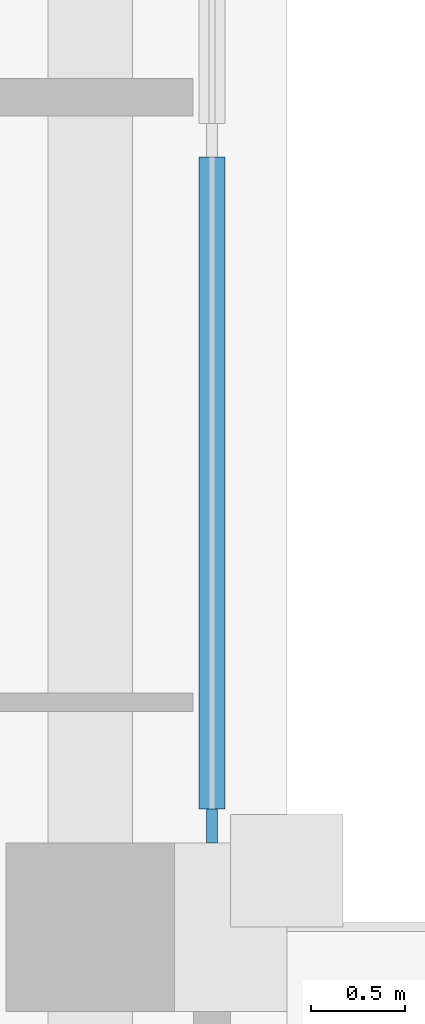
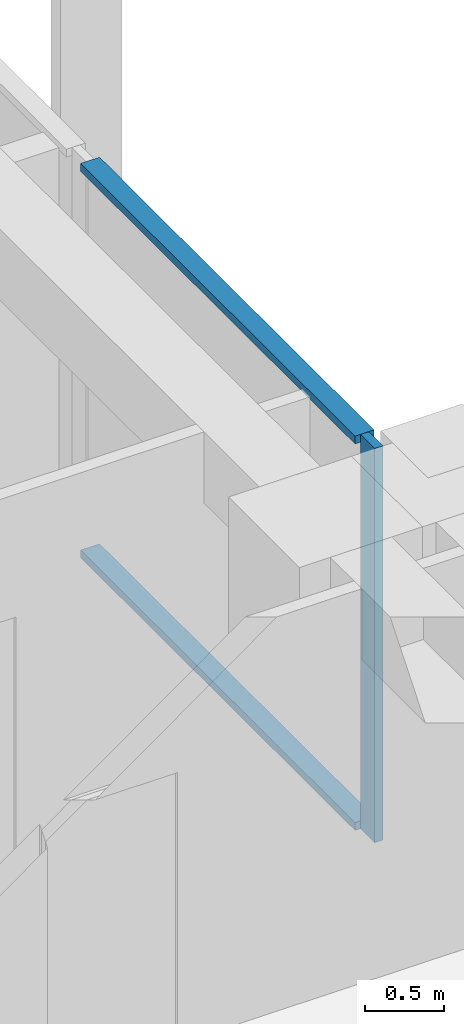
# One storey, part 4 of 18: 3 members, 1 element without a shape of its own.
"""IFC4 building model written with IfcOpenShell, lengths in metres."""

import ifcopenshell
import ifcopenshell.guid

model = None  # the IFC model being written
_history = None  # IfcOwnerHistory: only IFC2X3 demands one
_inside = {}  # id of a spatial element -> (the spatial element, [elements in it])
_under = {}  # id of a project, library or spatial element -> (it, [spatial elements below it])
_declared = {}  # id of a project -> (the project, [libraries it declares])
_typed = {}  # id of a type object -> (the type object, [elements of that type])
_made_of = {}  # id of a material, layer set ... -> (it, [elements and type objects made of it])


def new_model(schema):
    """Start an empty IFC model of exactly this schema.

    Asked for "IFC4X3", IfcOpenShell would pick the latest addendum, in which some entities
    have other attributes; the version numbers below select the first issue.
    IFC2X3 requires an IfcOwnerHistory on every rooted entity: one is made here for all.
    """
    global model, _history
    if schema == "IFC4X3":
        model = ifcopenshell.file(schema_version=(4, 3, 0, 0))
    else:
        model = ifcopenshell.file(schema=schema)
    _inside.clear()
    _under.clear()
    _declared.clear()
    _typed.clear()
    _made_of.clear()
    _history = None
    if model.schema == "IFC2X3":
        org = make("IfcOrganization", Name="unknown")
        user = make(
            "IfcPersonAndOrganization",
            ThePerson=make("IfcPerson", FamilyName="unknown"),
            TheOrganization=org,
        )
        app = make(
            "IfcApplication",
            ApplicationDeveloper=org,
            Version="unknown",
            ApplicationFullName="unknown",
            ApplicationIdentifier="unknown",
        )
        _history = make(
            "IfcOwnerHistory",
            OwningUser=user,
            OwningApplication=app,
            ChangeAction="ADDED",
            CreationDate=0,
        )
    return model


def make(cls, **values):
    """One entity of the class cls with the attributes given. An attribute that is None is left unset."""
    return model.create_entity(
        cls, **{name: value for name, value in values.items() if value is not None}
    )


def rooted(cls, **values):
    """An entity with a GlobalId (a new one), such as an element, a storey or a relation."""
    return make(cls, GlobalId=ifcopenshell.guid.new(), OwnerHistory=_history, **values)


def si_unit(unit_type, name, prefix=None):
    """IfcSIUnit, for example si_unit("LENGTHUNIT", "METRE", prefix="MILLI")."""
    return make("IfcSIUnit", UnitType=unit_type, Prefix=prefix, Name=name)


def assignment(units):
    """IfcUnitAssignment: the units of a project."""
    return None if units is None else make("IfcUnitAssignment", Units=units)


def point(xyz):
    """IfcCartesianPoint."""
    return None if xyz is None else make("IfcCartesianPoint", Coordinates=xyz)


def direction(xyz):
    """IfcDirection."""
    return None if xyz is None else make("IfcDirection", DirectionRatios=xyz)


def frame(location, z_axis=None, x_axis=None):
    """IfcAxis2Placement3D, a coordinate frame: its origin and axes. An axis left out is left unset."""
    return make(
        "IfcAxis2Placement3D",
        Location=point(location),
        Axis=direction(z_axis),
        RefDirection=direction(x_axis),
    )


def frame_2d(location, x_axis=None):
    """IfcAxis2Placement2D, a coordinate frame in the plane: its origin and x axis."""
    return make(
        "IfcAxis2Placement2D", Location=point(location), RefDirection=direction(x_axis)
    )


def origin():
    """The frame at (0, 0, 0) with its axes left unset."""
    return frame((0.0, 0.0, 0.0))


def origin_2d():
    """The frame at (0, 0) in the plane with its x axis left unset."""
    return frame_2d((0.0, 0.0))


def place(relative_to, where):
    """IfcLocalPlacement: puts the frame where relative to a parent placement (None: the world)."""
    return make(
        "IfcLocalPlacement", PlacementRelTo=relative_to, RelativePlacement=where
    )


def context(
    kind, dimensions, precision=None, world=None, true_north=None, identifier=None
):
    """IfcGeometricRepresentationContext, for example the 3D "Model" context."""
    return make(
        "IfcGeometricRepresentationContext",
        ContextIdentifier=identifier,
        ContextType=kind,
        CoordinateSpaceDimension=dimensions,
        Precision=precision,
        WorldCoordinateSystem=world,
        TrueNorth=true_north,
    )


def subcontext(parent, identifier, kind, view, scale=None):
    """IfcGeometricRepresentationSubContext, for example "Body" below "Model"."""
    return make(
        "IfcGeometricRepresentationSubContext",
        ContextIdentifier=identifier,
        ContextType=kind,
        ParentContext=parent,
        TargetScale=scale,
        TargetView=view,
    )


def project(units=None, contexts=None):
    """IfcProject with its units and contexts."""
    return rooted(
        "IfcProject",
        Name="project",
        RepresentationContexts=contexts,
        UnitsInContext=assignment(units),
    )


def spatial(cls, under=None, at=None, **own):
    """A site, building, storey or space (cls), placed at a placement, below another one or the project."""
    s = rooted(cls, ObjectPlacement=at, **own)
    if under is not None:
        _under.setdefault(under.id(), (under, []))[1].append(s)
    return s


def profile(cls, at=None, kind="AREA", **sizes):
    """A parametric profile (cls). Its sizes go by their IFC names, for example OverallWidth=200.0."""
    return make(cls, ProfileType=kind, Position=at, **sizes)


def rectangle(**sizes):
    """IfcRectangleProfileDef."""
    return profile("IfcRectangleProfileDef", **sizes)


def extrude(swept, where, along, depth):
    """IfcExtrudedAreaSolid: the profile swept, set in the frame where, extruded along a direction by depth."""
    return make(
        "IfcExtrudedAreaSolid",
        SweptArea=swept,
        Position=where,
        ExtrudedDirection=direction(along),
        Depth=depth,
    )


def shape(context_of_items, identifier, shape_type, items):
    """IfcShapeRepresentation: the items that make up one representation, for example the "Body"."""
    return make(
        "IfcShapeRepresentation",
        ContextOfItems=context_of_items,
        RepresentationIdentifier=identifier,
        RepresentationType=shape_type,
        Items=items,
    )


def material(Name=None, Category=None):
    """IfcMaterial."""
    return make("IfcMaterial", Name=Name, Category=Category)


def material_profile(
    of_material, cross_section, Name=None, Category=None, Priority=None
):
    """IfcMaterialProfile: a cross section and its material."""
    return make(
        "IfcMaterialProfile",
        Name=Name,
        Material=of_material,
        Profile=cross_section,
        Priority=Priority,
        Category=Category,
    )


def profile_set(profiles, Name=None, composite=None):
    """IfcMaterialProfileSet."""
    return make(
        "IfcMaterialProfileSet",
        Name=Name,
        MaterialProfiles=profiles,
        CompositeProfile=composite,
    )


def made_of(thing, what):
    """Note that an element or type object is made of a material, layer set ...; save() writes the relation."""
    if what is not None:
        _made_of.setdefault(what.id(), (what, []))[1].append(thing)
    return thing


def type_object(cls, material=None, **own):
    """A type object (cls), such as IfcWallType, which elements share."""
    return made_of(rooted(cls, **own), material)


def element(
    cls,
    number,
    at=None,
    inside=None,
    cuts=None,
    type_object=None,
    material=None,
    context=None,
    identifier="Body",
    shape_type=None,
    held_by="IfcProductDefinitionShape",
    body=None,
    shapes=None,
    **own,
):
    """One element of the class cls, such as IfcWall. Its Tag is "e" and its number.

    at: its placement. inside: the storey or other place that contains it. cuts: it is an
    opening in that element (IfcRelVoidsElement). A single representation is given by context,
    identifier, shape_type and body (its items); several are given by shapes. held_by: the class
    of the entity that holds the representations. save() writes the other relations.
    """
    e = rooted(cls, Tag="e%d" % number, ObjectPlacement=at, **own)
    if body is not None:
        shapes = [shape(context, identifier, shape_type, body)]
    if shapes is not None:
        e.Representation = make(held_by, Representations=shapes)
    if inside is not None:
        _inside.setdefault(inside.id(), (inside, []))[1].append(e)
    if cuts is not None:
        rooted(
            "IfcRelVoidsElement", RelatingBuildingElement=cuts, RelatedOpeningElement=e
        )
    if type_object is not None:
        _typed.setdefault(type_object.id(), (type_object, []))[1].append(e)
    return made_of(e, material)


def aggregate(whole, parts):
    """IfcRelAggregates: a whole, such as a stair, and the parts it consists of."""
    return rooted("IfcRelAggregates", RelatingObject=whole, RelatedObjects=parts)


def save(model, path):
    """Write the relations noted so far, then the file.

    IfcRelAggregates (storeys below a building ...), IfcRelContainedInSpatialStructure (elements
    in a storey), IfcRelDefinesByType, IfcRelAssociatesMaterial and IfcRelDeclares: one each for
    every whole, place, type object, material and project.
    """
    for whole, parts in _under.values():
        aggregate(whole, parts)
    for where, things in _inside.values():
        rooted(
            "IfcRelContainedInSpatialStructure",
            RelatedElements=things,
            RelatingStructure=where,
        )
    for kind, things in _typed.values():
        rooted("IfcRelDefinesByType", RelatedObjects=things, RelatingType=kind)
    for what, things in _made_of.values():
        rooted("IfcRelAssociatesMaterial", RelatedObjects=things, RelatingMaterial=what)
    for by, libraries in _declared.values():
        rooted("IfcRelDeclares", RelatingContext=by, RelatedDefinitions=libraries)
    model.write(path)


model = new_model("IFC4")

# Units and contexts
model_context = context("Model", 3, precision=1e-05, world=origin(), true_north=direction((0.0, 1.0)))
body_context = subcontext(model_context, "Body", "Model", "MODEL_VIEW")
ifc_project = project(units=[si_unit("LENGTHUNIT", "METRE"), si_unit("AREAUNIT", "SQUARE_METRE"), si_unit("VOLUMEUNIT", "CUBIC_METRE"), si_unit("PLANEANGLEUNIT", "RADIAN"), si_unit("MASSUNIT", "GRAM", prefix="KILO")], contexts=[model_context])

# Site, building, storey
site_placement = place(None, origin())
site = spatial("IfcSite", under=ifc_project, at=site_placement, CompositionType="ELEMENT")
building_placement = place(site_placement, origin())
building = spatial("IfcBuilding", under=site, at=building_placement, Name="Vermilion Ogive Tower", CompositionType="ELEMENT")
storey_placement = place(building_placement, frame((0.0, 0.0, 240.699951171875)))
storey = spatial("IfcBuildingStorey", under=building, at=storey_placement, Name="L63", CompositionType="ELEMENT", Elevation=240.699951171875)

# Curtain wall, members
ifc_material_1 = material(Name="Low-iron laminated glazing in aluminium frame", Category="aluminium")
curtain_wall_type = type_object("IfcCurtainWallType", Name="Curtain wall CW7", PredefinedType="NOTDEFINED", material=ifc_material_1)
curtain_wall_placement = place(storey_placement, origin())
curtain_wall = element("IfcCurtainWall", 1, at=curtain_wall_placement, inside=storey, type_object=curtain_wall_type, Name="Glazed skin E3", PredefinedType="NOTDEFINED")
ifc_material_2 = material(Name="Aluminium mullion", Category="aluminium")
ifc_material_profile_1 = material_profile(ifc_material_2, rectangle(XDim=0.06005859375, YDim=0.179931640625, at=origin_2d()), Name="AL 60x180")
ifc_profile_set_1 = profile_set([ifc_material_profile_1], Name="Aluminium mullion")
member_type_1 = type_object("IfcMemberType", Name="CW7 mullion 60x180", PredefinedType="MULLION", material=ifc_profile_set_1)
member_1_placement = place(storey_placement, frame((25.85009765625, 4.739990234375, 0.0), z_axis=(0.0, 0.0, 1.0), x_axis=(-1.0, 0.0, 0.0)))
member_1 = element("IfcMember", 2, at=member_1_placement, type_object=member_type_1, Name="CW7-E3 mullion 1", PredefinedType="MULLION", context=body_context, shape_type="SweptSolid", body=[
    extrude(rectangle(XDim=0.06005859375, YDim=0.179931640625, at=origin_2d()), origin(), (0.0, 0.0, 1.0), 3.050048828125),
])
ifc_material_3 = material(Name="Aluminium transom", Category="aluminium")
ifc_material_profile_2 = material_profile(ifc_material_3, rectangle(XDim=0.139892578125, YDim=0.06005859375, at=origin_2d()), Name="AL 60x140")
ifc_profile_set_2 = profile_set([ifc_material_profile_2], Name="Aluminium transom")
member_type_2 = type_object("IfcMemberType", Name="CW7 transom 60x140", PredefinedType="USERDEFINED", material=ifc_profile_set_2)
member_2_placement = place(storey_placement, frame((25.85009765625, 4.830078125, 0.030029296875), z_axis=(0.0, 1.0, 0.0), x_axis=(-1.0, 0.0, 0.0)))
member_2 = element("IfcMember", 3, at=member_2_placement, type_object=member_type_2, Name="CW7-E3 transom 1.1", ObjectType="TRANSOM", PredefinedType="USERDEFINED", context=body_context, shape_type="SweptSolid", body=[
    extrude(rectangle(XDim=0.139892578125, YDim=0.06005859375, at=origin_2d()), origin(), (0.0, 0.0, 1.0), 3.47998046875),
])
member_3_placement = place(storey_placement, frame((25.85009765625, 4.830078125, 3.02001953125), z_axis=(0.0, 1.0, 0.0), x_axis=(-1.0, 0.0, 0.0)))
member_3 = element("IfcMember", 4, at=member_3_placement, type_object=member_type_2, Name="CW7-E3 transom 1.2", ObjectType="TRANSOM", PredefinedType="USERDEFINED", context=body_context, shape_type="SweptSolid", body=[
    extrude(rectangle(XDim=0.139892578125, YDim=0.06005859375, at=origin_2d()), origin(), (0.0, 0.0, 1.0), 3.47998046875),
])
aggregate(curtain_wall, [member_1, member_2, member_3])

save(model, "model.ifc")
